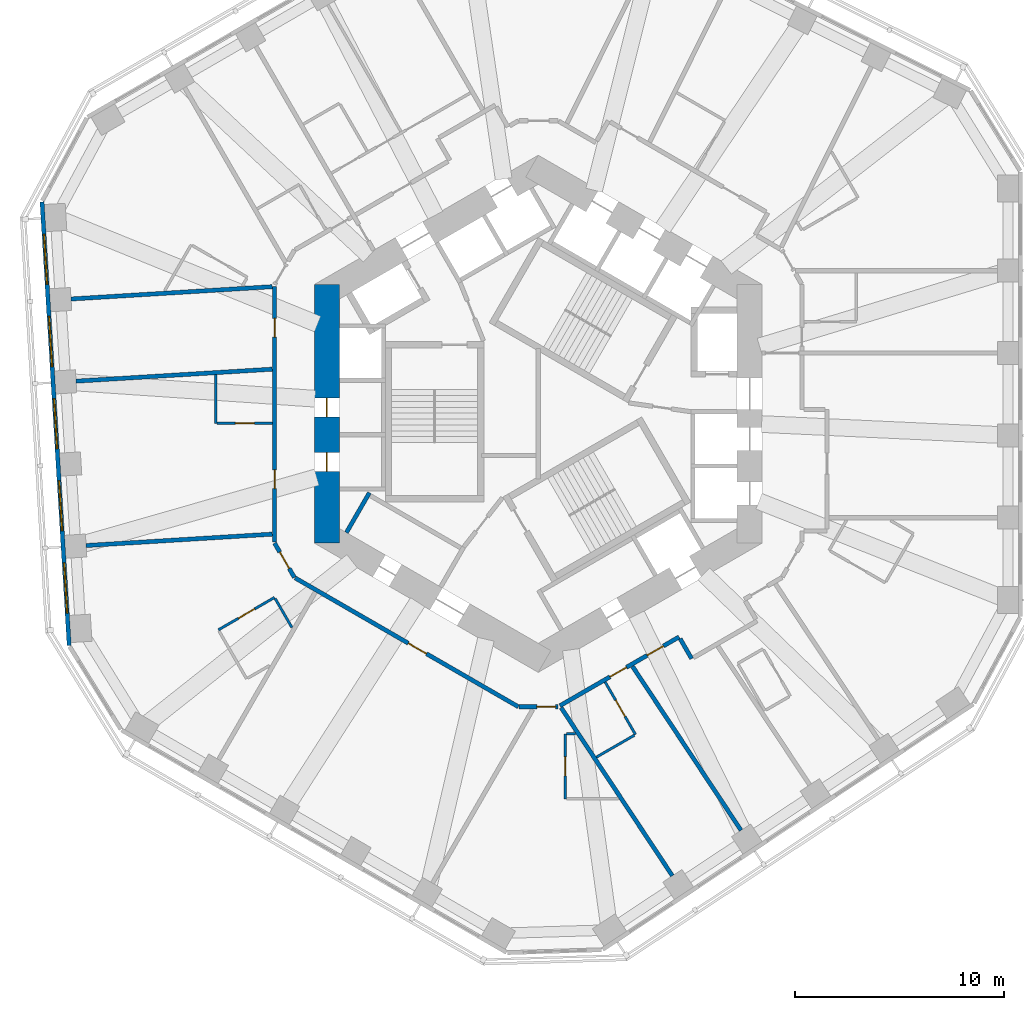
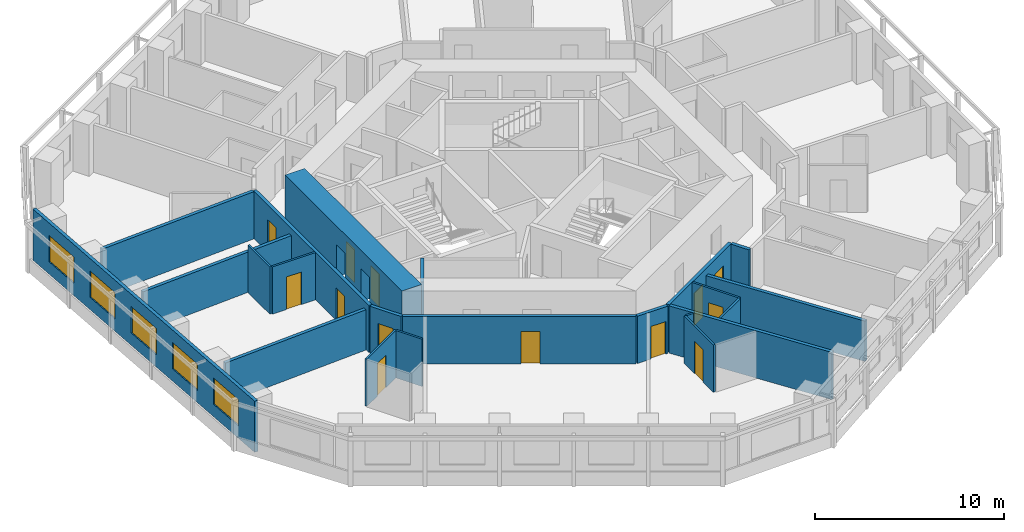
# One storey, part 4 of 12: 22 walls, 13 doors, 5 windows, 18 openings.
"""IFC4 building model written with IfcOpenShell, lengths in metres."""

from ifc_helpers import new_model, si_unit, direction, frame, frame_2d, origin, place, context, subcontext, project, spatial, rectangle, extrude, material, layer, layer_set, type_object, element, fill, save


model = new_model("IFC4")

# Units and contexts
model_context = context("Model", 3, precision=1e-05, world=origin(), true_north=direction((0.0, 1.0)))
body_context = subcontext(model_context, "Body", "Model", "MODEL_VIEW")
ifc_project = project(units=[si_unit("LENGTHUNIT", "METRE"), si_unit("AREAUNIT", "SQUARE_METRE"), si_unit("VOLUMEUNIT", "CUBIC_METRE"), si_unit("PLANEANGLEUNIT", "RADIAN"), si_unit("MASSUNIT", "GRAM", prefix="KILO")], contexts=[model_context])

# Site, building, storey
site_placement = place(None, origin())
site = spatial("IfcSite", under=ifc_project, at=site_placement, CompositionType="ELEMENT")
building_placement = place(site_placement, origin())
building = spatial("IfcBuilding", under=site, at=building_placement, Name="Vanh Sen Convention Tower", CompositionType="ELEMENT")
storey_placement = place(building_placement, frame((0.0, 0.0, 113.300048828125)))
storey = spatial("IfcBuildingStorey", under=building, at=storey_placement, Name="L27", CompositionType="ELEMENT", Elevation=113.300048828125)

# Wall
ifc_material_1 = material(Name="Moisture-resistant gypsum board on steel studs", Category="steel")
ifc_layer_1 = layer(ifc_material_1, 0.1201171875)
ifc_layer_set_1 = layer_set([ifc_layer_1], Name="Moisture-resistant gypsum board on steel studs")
wall_type_1 = type_object("IfcWallType", Name="Bathroom partition 120", PredefinedType="PARTITIONING", material=ifc_layer_set_1)
wall_1_placement = place(storey_placement, frame((-15.39990234375, -0.460693359375, 0.0), z_axis=(0.0, 0.0, 1.0), x_axis=(0.0, 1.0, 0.0)))
element("IfcWall", 1, at=wall_1_placement, inside=storey, type_object=wall_type_1, Name="Bathroom partition 120", PredefinedType="PARTITIONING", context=body_context, shape_type="SweptSolid", body=[
    extrude(rectangle(XDim=2.328857421875, YDim=0.1201171875, at=frame_2d((1.16455078125, 0.0))), origin(), (0.0, 0.0, 1.0), 3.050048828125),
])

# Wall, opening, door
wall_2_placement = place(storey_placement, frame((-15.285400390625, -10.326171875, 0.0), z_axis=(0.0, 0.0, 1.0), x_axis=(0.86600983753, 0.500026960575, 0.0)))
wall_2 = element("IfcWall", 2, at=wall_2_placement, inside=storey, type_object=wall_type_1, Name="Bathroom partition 120", PredefinedType="PARTITIONING", context=body_context, shape_type="SweptSolid", body=[
    extrude(rectangle(XDim=3.099853515625, YDim=0.1201171875, at=frame_2d((1.5498046875, 0.0))), origin(), (0.0, 0.0, 1.0), 3.050048828125),
])
opening_1_placement = place(wall_2_placement, frame((1.10009765625, 0.0, 0.0)))
opening_1 = element("IfcOpeningElement", 3, at=opening_1_placement, cuts=wall_2, Name="Opening D27122", PredefinedType="OPENING", context=body_context, shape_type="SweptSolid", body=[
    extrude(rectangle(XDim=0.89990234375, YDim=2.10009765625, at=frame_2d((0.449951171875, 1.050048828125))), frame((0.0, 0.070068359375, 0.0), z_axis=(0.0, -1.0, 0.0), x_axis=(1.0, 0.0, 0.0)), (0.0, 0.0, 1.0), 0.14013671875),
])
ifc_material_2 = material(Name="Laminate door in steel frame", Category="steel")
door_type_1 = type_object("IfcDoorType", Name="En-suite door 900", OperationType="SINGLE_SWING_LEFT", PredefinedType="DOOR", material=ifc_material_2)
door_1_placement = place(opening_1_placement, origin())
door_1 = element("IfcDoor", 4, at=door_1_placement, inside=storey, type_object=door_type_1, Name="En-suite door D27122", OperationType="SINGLE_SWING_LEFT", OverallHeight=2.10009765625, OverallWidth=0.89990234375, PredefinedType="DOOR", context=body_context, shape_type="SweptSolid", body=[
    extrude(rectangle(XDim=0.89990234375, YDim=2.10009765625, at=frame_2d((0.449951171875, 1.050048828125))), frame((0.0, 0.02490234375, 0.0), z_axis=(0.0, -1.0, 0.0), x_axis=(1.0, 0.0, 0.0)), (0.0, 0.0, 1.0), 0.050048828125),
])
fill(opening_1, door_1)

wall_3_placement = place(storey_placement, frame((-12.699951171875, -0.460693359375, 0.0), z_axis=(0.0, 0.0, 1.0), x_axis=(-1.0, 0.0, 0.0)))
wall_3 = element("IfcWall", 5, at=wall_3_placement, inside=storey, type_object=wall_type_1, Name="Bathroom partition 120", PredefinedType="PARTITIONING", context=body_context, shape_type="SweptSolid", body=[
    extrude(rectangle(XDim=2.64013671875, YDim=0.1201171875, at=frame_2d((1.320068359375, 0.0))), origin(), (0.0, 0.0, 1.0), 3.050048828125),
])
opening_2_placement = place(wall_3_placement, frame((0.8701171875, 0.0, 0.0)))
opening_2 = element("IfcOpeningElement", 6, at=opening_2_placement, cuts=wall_3, Name="Opening D27120", PredefinedType="OPENING", context=body_context, shape_type="SweptSolid", body=[
    extrude(rectangle(XDim=0.89990234375, YDim=2.10009765625, at=frame_2d((0.449951171875, 1.050048828125))), frame((0.0, 0.070068359375, 0.0), z_axis=(0.0, -1.0, 0.0), x_axis=(1.0, 0.0, 0.0)), (0.0, 0.0, 1.0), 0.14013671875),
])
door_2_placement = place(opening_2_placement, origin())
door_2 = element("IfcDoor", 7, at=door_2_placement, inside=storey, type_object=door_type_1, Name="En-suite door D27120", OperationType="SINGLE_SWING_LEFT", OverallHeight=2.10009765625, OverallWidth=0.89990234375, PredefinedType="DOOR", context=body_context, shape_type="SweptSolid", body=[
    extrude(rectangle(XDim=0.89990234375, YDim=2.10009765625, at=frame_2d((0.449951171875, 1.050048828125))), frame((0.0, 0.02490234375, 0.0), z_axis=(0.0, -1.0, 0.0), x_axis=(1.0, 0.0, 0.0)), (0.0, 0.0, 1.0), 0.050048828125),
])
fill(opening_2, door_2)

# Wall
wall_4_placement = place(storey_placement, frame((-12.57080078125, -8.828125, 0.0), z_axis=(0.0, 0.0, 1.0), x_axis=(0.499960029081, -0.866048479775, 0.0)))
element("IfcWall", 8, at=wall_4_placement, inside=storey, type_object=wall_type_1, Name="Bathroom partition 120", PredefinedType="PARTITIONING", context=body_context, shape_type="SweptSolid", body=[
    extrude(rectangle(XDim=1.601318359375, YDim=0.1201171875, at=frame_2d((0.80078125, 0.0))), origin(), (0.0, 0.0, 1.0), 3.050048828125),
])

# Wall, opening, door
wall_5_placement = place(storey_placement, frame((1.300048828125, -18.400634765625, 0.0), z_axis=(0.0, 0.0, 1.0), x_axis=(0.0, 1.0, 0.0)))
wall_5 = element("IfcWall", 9, at=wall_5_placement, inside=storey, type_object=wall_type_1, Name="Bathroom partition 120", PredefinedType="PARTITIONING", context=body_context, shape_type="SweptSolid", body=[
    extrude(rectangle(XDim=3.099853515625, YDim=0.1201171875, at=frame_2d((1.5498046875, 0.0))), origin(), (0.0, 0.0, 1.0), 3.050048828125),
])
opening_3_placement = place(wall_5_placement, frame((1.10009765625, 0.0, 0.0)))
opening_3 = element("IfcOpeningElement", 10, at=opening_3_placement, cuts=wall_5, Name="Opening D27125", PredefinedType="OPENING", context=body_context, shape_type="SweptSolid", body=[
    extrude(rectangle(XDim=0.89990234375, YDim=2.10009765625, at=frame_2d((0.449951171875, 1.050048828125))), frame((0.0, 0.070068359375, 0.0), z_axis=(0.0, -1.0, 0.0), x_axis=(1.0, 0.0, 0.0)), (0.0, 0.0, 1.0), 0.14013671875),
])
door_3_placement = place(opening_3_placement, origin())
door_3 = element("IfcDoor", 11, at=door_3_placement, inside=storey, type_object=door_type_1, Name="En-suite door D27125", OperationType="SINGLE_SWING_LEFT", OverallHeight=2.10009765625, OverallWidth=0.89990234375, PredefinedType="DOOR", context=body_context, shape_type="SweptSolid", body=[
    extrude(rectangle(XDim=0.89990234375, YDim=2.10009765625, at=frame_2d((0.449951171875, 1.050048828125))), frame((0.0, 0.02490234375, 0.0), z_axis=(0.0, -1.0, 0.0), x_axis=(1.0, 0.0, 0.0)), (0.0, 0.0, 1.0), 0.050048828125),
])
fill(opening_3, door_3)

# Wall
wall_6_placement = place(storey_placement, frame((1.360107421875, -15.30078125, 0.0), z_axis=(0.0, 0.0, 1.0), x_axis=(1.0, 0.0, 0.0)))
element("IfcWall", 12, at=wall_6_placement, inside=storey, type_object=wall_type_1, Name="Bathroom partition 120", PredefinedType="PARTITIONING", context=body_context, shape_type="SweptSolid", body=[
    extrude(rectangle(XDim=0.415771484375, YDim=0.1201171875, at=frame_2d((0.2080078125, 0.0))), origin(), (0.0, 0.0, 1.0), 3.050048828125),
])

# Wall, opening, door
wall_7_placement = place(storey_placement, frame((3.1982421875, -12.818115234375, 0.0), z_axis=(0.0, 0.0, 1.0), x_axis=(0.499987231761, -0.866032775405, 0.0)))
wall_7 = element("IfcWall", 13, at=wall_7_placement, inside=storey, type_object=wall_type_1, Name="Bathroom partition 120", PredefinedType="PARTITIONING", context=body_context, shape_type="SweptSolid", body=[
    extrude(rectangle(XDim=2.89990234375, YDim=0.1201171875, at=frame_2d((1.449951171875, 0.0))), origin(), (0.0, 0.0, 1.0), 3.050048828125),
])
opening_4_placement = place(wall_7_placement, frame((1.0, 0.0, 0.0)))
opening_4 = element("IfcOpeningElement", 14, at=opening_4_placement, cuts=wall_7, Name="Opening D27127", PredefinedType="OPENING", context=body_context, shape_type="SweptSolid", body=[
    extrude(rectangle(XDim=0.89990234375, YDim=2.10009765625, at=frame_2d((0.449951171875, 1.050048828125))), frame((0.0, 0.070068359375, 0.0), z_axis=(0.0, -1.0, 0.0), x_axis=(1.0, 0.0, 0.0)), (0.0, 0.0, 1.0), 0.14013671875),
])
door_4_placement = place(opening_4_placement, origin())
door_4 = element("IfcDoor", 15, at=door_4_placement, inside=storey, type_object=door_type_1, Name="En-suite door D27127", OperationType="SINGLE_SWING_LEFT", OverallHeight=2.10009765625, OverallWidth=0.89990234375, PredefinedType="DOOR", context=body_context, shape_type="SweptSolid", body=[
    extrude(rectangle(XDim=0.89990234375, YDim=2.10009765625, at=frame_2d((0.449951171875, 1.050048828125))), frame((0.0, 0.02490234375, 0.0), z_axis=(0.0, -1.0, 0.0), x_axis=(1.0, 0.0, 0.0)), (0.0, 0.0, 1.0), 0.050048828125),
])
fill(opening_4, door_4)

# Wall
wall_8_placement = place(storey_placement, frame((4.59619140625, -15.359619140625, 0.0), z_axis=(0.0, 0.0, 1.0), x_axis=(-0.865986006152, -0.500068232493, 0.0)))
element("IfcWall", 16, at=wall_8_placement, inside=storey, type_object=wall_type_1, Name="Bathroom partition 120", PredefinedType="PARTITIONING", context=body_context, shape_type="SweptSolid", body=[
    extrude(rectangle(XDim=2.098388671875, YDim=0.1201171875, at=frame_2d((1.04931640625, 0.0))), origin(), (0.0, 0.0, 1.0), 3.050048828125),
])

# Wall, openings, doors
ifc_material_3 = material(Name="Concrete C80/95", Category="concrete")
ifc_layer_2 = layer(ifc_material_3, 1.199951171875)
ifc_layer_set_2 = layer_set([ifc_layer_2], Name="Concrete C80/95")
wall_type_2 = type_object("IfcWallType", Name="Core outer wall 1200 C80/95", PredefinedType="SHEAR", material=ifc_layer_set_2)
wall_9_placement = place(storey_placement, frame((-10.10009765625, 6.177490234375, 0.0), z_axis=(0.0, 0.0, 1.0), x_axis=(0.0, -1.0, 0.0)))
wall_9 = element("IfcWall", 17, at=wall_9_placement, inside=storey, type_object=wall_type_2, Name="Core wall face W L27", PredefinedType="SHEAR", context=body_context, shape_type="SweptSolid", body=[
    extrude(rectangle(XDim=12.35498046875, YDim=1.199951171875, at=frame_2d((6.177490234375, 0.0))), origin(), (0.0, 0.0, 1.0), 3.300048828125),
])
opening_5_placement = place(wall_9_placement, frame((5.427490234375, 0.0, 0.0)))
opening_5 = element("IfcOpeningElement", 18, at=opening_5_placement, cuts=wall_9, Name="Opening D27010", PredefinedType="OPENING", context=body_context, shape_type="SweptSolid", body=[
    extrude(rectangle(XDim=0.89990234375, YDim=2.10009765625, at=frame_2d((0.449951171875, 1.050048828125))), frame((0.0, 0.60986328125, 0.0), z_axis=(0.0, -1.0, 0.0), x_axis=(1.0, 0.0, 0.0)), (0.0, 0.0, 1.0), 1.219970703125),
])
opening_6_placement = place(wall_9_placement, frame((8.027587890625, 0.0, 0.0)))
opening_6 = element("IfcOpeningElement", 19, at=opening_6_placement, cuts=wall_9, Name="Opening D27011", PredefinedType="OPENING", context=body_context, shape_type="SweptSolid", body=[
    extrude(rectangle(XDim=0.89990234375, YDim=2.10009765625, at=frame_2d((0.449951171875, 1.050048828125))), frame((0.0, 0.60986328125, 0.0), z_axis=(0.0, -1.0, 0.0), x_axis=(1.0, 0.0, 0.0)), (0.0, 0.0, 1.0), 1.219970703125),
])
ifc_material_4 = material(Name="Steel S355", Category="steel")
door_type_2 = type_object("IfcDoorType", Name="Plant door 900", OperationType="SINGLE_SWING_LEFT", PredefinedType="DOOR", material=ifc_material_4)
door_5_placement = place(opening_5_placement, origin())
door_5 = element("IfcDoor", 20, at=door_5_placement, inside=storey, type_object=door_type_2, Name="Plant door D27010", OperationType="SINGLE_SWING_LEFT", OverallHeight=2.10009765625, OverallWidth=0.89990234375, PredefinedType="DOOR", context=body_context, shape_type="SweptSolid", body=[
    extrude(rectangle(XDim=0.89990234375, YDim=2.10009765625, at=frame_2d((0.449951171875, 1.050048828125))), frame((0.0, 0.02490234375, 0.0), z_axis=(0.0, -1.0, 0.0), x_axis=(1.0, 0.0, 0.0)), (0.0, 0.0, 1.0), 0.050048828125),
])
fill(opening_5, door_5)
door_6_placement = place(opening_6_placement, origin())
door_6 = element("IfcDoor", 21, at=door_6_placement, inside=storey, type_object=door_type_2, Name="Plant door D27011", OperationType="SINGLE_SWING_LEFT", OverallHeight=2.10009765625, OverallWidth=0.89990234375, PredefinedType="DOOR", context=body_context, shape_type="SweptSolid", body=[
    extrude(rectangle(XDim=0.89990234375, YDim=2.10009765625, at=frame_2d((0.449951171875, 1.050048828125))), frame((0.0, 0.02490234375, 0.0), z_axis=(0.0, -1.0, 0.0), x_axis=(1.0, 0.0, 0.0)), (0.0, 0.0, 1.0), 0.050048828125),
])
fill(opening_6, door_6)

# Wall, opening, door
ifc_material_5 = material(Name="Gypsum board on steel studs with mineral wool", Category="steel")
ifc_layer_3 = layer(ifc_material_5, 0.199951171875)
ifc_layer_set_3 = layer_set([ifc_layer_3], Name="Gypsum board on steel studs with mineral wool")
wall_type_3 = type_object("IfcWallType", Name="Corridor partition wall 200", PredefinedType="PARTITIONING", material=ifc_layer_set_3)
wall_10_placement = place(storey_placement, frame((-12.60009765625, -6.177490234375, 0.0), z_axis=(0.0, 0.0, 1.0), x_axis=(0.500063520245, -0.865988727248, 0.0)))
wall_10 = element("IfcWall", 22, at=wall_10_placement, inside=storey, type_object=wall_type_3, Name="Corridor partition wall 200", PredefinedType="PARTITIONING", context=body_context, shape_type="SweptSolid", body=[
    extrude(rectangle(XDim=1.900146484375, YDim=0.199951171875, at=frame_2d((0.9501953125, 0.0))), origin(), (0.0, 0.0, 1.0), 3.050048828125),
])
opening_7_placement = place(wall_10_placement, frame((0.5, 0.0, 0.0)))
opening_7 = element("IfcOpeningElement", 23, at=opening_7_placement, cuts=wall_10, Name="Opening D27121", PredefinedType="OPENING", context=body_context, shape_type="SweptSolid", body=[
    extrude(rectangle(XDim=0.89990234375, YDim=2.10009765625, at=frame_2d((0.449951171875, 1.050048828125))), frame((0.0, 0.10986328125, 0.0), z_axis=(0.0, -1.0, 0.0), x_axis=(1.0, 0.0, 0.0)), (0.0, 0.0, 1.0), 0.219970703125),
])
ifc_material_6 = material(Name="Timber fire door in steel frame", Category="steel")
door_type_3 = type_object("IfcDoorType", Name="Guest room door 900", OperationType="SINGLE_SWING_LEFT", PredefinedType="DOOR", material=ifc_material_6)
door_7_placement = place(opening_7_placement, origin())
door_7 = element("IfcDoor", 24, at=door_7_placement, inside=storey, type_object=door_type_3, Name="Hotel guest room door D27121", OperationType="SINGLE_SWING_LEFT", OverallHeight=2.10009765625, OverallWidth=0.89990234375, PredefinedType="DOOR", context=body_context, shape_type="SweptSolid", body=[
    extrude(rectangle(XDim=0.89990234375, YDim=2.10009765625, at=frame_2d((0.449951171875, 1.050048828125))), frame((0.0, 0.02490234375, 0.0), z_axis=(0.0, -1.0, 0.0), x_axis=(1.0, 0.0, 0.0)), (0.0, 0.0, 1.0), 0.050048828125),
])
fill(opening_7, door_7)

# Wall, openings, doors
wall_11_placement = place(storey_placement, frame((-12.60009765625, 6.081298828125, 0.0), z_axis=(0.0, 0.0, 1.0), x_axis=(0.0, -1.0, 0.0)))
wall_11 = element("IfcWall", 25, at=wall_11_placement, inside=storey, type_object=wall_type_3, Name="Corridor partition wall 200", PredefinedType="PARTITIONING", context=body_context, shape_type="SweptSolid", body=[
    extrude(rectangle(XDim=12.218994140625, YDim=0.199951171875, at=frame_2d((6.109375, 0.0))), origin(), (0.0, 0.0, 1.0), 3.050048828125),
])
opening_8_placement = place(wall_11_placement, frame((1.52099609375, 0.0, 0.0)))
opening_8 = element("IfcOpeningElement", 26, at=opening_8_placement, cuts=wall_11, Name="Opening D27118", PredefinedType="OPENING", context=body_context, shape_type="SweptSolid", body=[
    extrude(rectangle(XDim=0.89990234375, YDim=2.10009765625, at=frame_2d((0.449951171875, 1.050048828125))), frame((0.0, 0.10986328125, 0.0), z_axis=(0.0, -1.0, 0.0), x_axis=(1.0, 0.0, 0.0)), (0.0, 0.0, 1.0), 0.219970703125),
])
opening_9_placement = place(wall_11_placement, frame((8.7587890625, 0.0, 0.0)))
opening_9 = element("IfcOpeningElement", 27, at=opening_9_placement, cuts=wall_11, Name="Opening D27119", PredefinedType="OPENING", context=body_context, shape_type="SweptSolid", body=[
    extrude(rectangle(XDim=0.89990234375, YDim=2.10009765625, at=frame_2d((0.449951171875, 1.050048828125))), frame((0.0, 0.10986328125, 0.0), z_axis=(0.0, -1.0, 0.0), x_axis=(1.0, 0.0, 0.0)), (0.0, 0.0, 1.0), 0.219970703125),
])
door_type_4 = type_object("IfcDoorType", Name="Floor service door 900", OperationType="SINGLE_SWING_LEFT", PredefinedType="DOOR", material=ifc_material_6)
door_8_placement = place(opening_8_placement, origin())
door_8 = element("IfcDoor", 28, at=door_8_placement, inside=storey, type_object=door_type_4, Name="Service room door D27118", OperationType="SINGLE_SWING_LEFT", OverallHeight=2.10009765625, OverallWidth=0.89990234375, PredefinedType="DOOR", context=body_context, shape_type="SweptSolid", body=[
    extrude(rectangle(XDim=0.89990234375, YDim=2.10009765625, at=frame_2d((0.449951171875, 1.050048828125))), frame((0.0, 0.02490234375, 0.0), z_axis=(0.0, -1.0, 0.0), x_axis=(1.0, 0.0, 0.0)), (0.0, 0.0, 1.0), 0.050048828125),
])
fill(opening_8, door_8)
door_9_placement = place(opening_9_placement, origin())
door_9 = element("IfcDoor", 29, at=door_9_placement, inside=storey, type_object=door_type_3, Name="Hotel guest room door D27119", OperationType="SINGLE_SWING_LEFT", OverallHeight=2.10009765625, OverallWidth=0.89990234375, PredefinedType="DOOR", context=body_context, shape_type="SweptSolid", body=[
    extrude(rectangle(XDim=0.89990234375, YDim=2.10009765625, at=frame_2d((0.449951171875, 1.050048828125))), frame((0.0, 0.02490234375, 0.0), z_axis=(0.0, -1.0, 0.0), x_axis=(1.0, 0.0, 0.0)), (0.0, 0.0, 1.0), 0.050048828125),
])
fill(opening_9, door_9)

# Wall, opening, door
wall_12_placement = place(storey_placement, frame((-11.615478515625, -7.843017578125, 0.0), z_axis=(0.0, 0.0, 1.0), x_axis=(0.866026466995, -0.499998158461, 0.0)))
wall_12 = element("IfcWall", 30, at=wall_12_placement, inside=storey, type_object=wall_type_3, Name="Corridor partition wall 200", PredefinedType="PARTITIONING", context=body_context, shape_type="SweptSolid", body=[
    extrude(rectangle(XDim=12.3154296875, YDim=0.199951171875, at=frame_2d((6.15771484375, 0.0))), origin(), (0.0, 0.0, 1.0), 3.050048828125),
])
opening_10_placement = place(wall_12_placement, frame((6.244140625, 0.0, 0.0)))
opening_10 = element("IfcOpeningElement", 31, at=opening_10_placement, cuts=wall_12, Name="Opening D27123", PredefinedType="OPENING", context=body_context, shape_type="SweptSolid", body=[
    extrude(rectangle(XDim=1.0, YDim=2.10009765625, at=frame_2d((0.5, 1.050048828125))), frame((0.0, 0.10986328125, 0.0), z_axis=(0.0, -1.0, 0.0), x_axis=(1.0, 0.0, 0.0)), (0.0, 0.0, 1.0), 0.219970703125),
])
door_type_5 = type_object("IfcDoorType", Name="Floor room door 1000", OperationType="SINGLE_SWING_LEFT", PredefinedType="DOOR", material=ifc_material_6)
door_10_placement = place(opening_10_placement, origin())
door_10 = element("IfcDoor", 32, at=door_10_placement, inside=storey, type_object=door_type_5, Name="Meeting and amenity room door D27123", OperationType="SINGLE_SWING_LEFT", OverallHeight=2.10009765625, OverallWidth=1.0, PredefinedType="DOOR", context=body_context, shape_type="SweptSolid", body=[
    extrude(rectangle(XDim=1.0, YDim=2.10009765625, at=frame_2d((0.5, 1.050048828125))), frame((0.0, 0.02490234375, 0.0), z_axis=(0.0, -1.0, 0.0), x_axis=(1.0, 0.0, 0.0)), (0.0, 0.0, 1.0), 0.050048828125),
])
fill(opening_10, door_10)

wall_13_placement = place(storey_placement, frame((-0.909912109375, -14.000732421875, 0.0), z_axis=(0.0, 0.0, 1.0), x_axis=(1.0, 0.0, 0.0)))
wall_13 = element("IfcWall", 33, at=wall_13_placement, inside=storey, type_object=wall_type_3, Name="Corridor partition wall 200", PredefinedType="PARTITIONING", context=body_context, shape_type="SweptSolid", body=[
    extrude(rectangle(XDim=1.85986328125, YDim=0.199951171875, at=frame_2d((0.929931640625, 0.0))), origin(), (0.0, 0.0, 1.0), 3.050048828125),
])
opening_11_placement = place(wall_13_placement, frame((0.841796875, 0.0, 0.0)))
opening_11 = element("IfcOpeningElement", 34, at=opening_11_placement, cuts=wall_13, Name="Opening D27124", PredefinedType="OPENING", context=body_context, shape_type="SweptSolid", body=[
    extrude(rectangle(XDim=0.89990234375, YDim=2.10009765625, at=frame_2d((0.449951171875, 1.050048828125))), frame((0.0, 0.10986328125, 0.0), z_axis=(0.0, -1.0, 0.0), x_axis=(1.0, 0.0, 0.0)), (0.0, 0.0, 1.0), 0.219970703125),
])
door_11_placement = place(opening_11_placement, origin())
door_11 = element("IfcDoor", 35, at=door_11_placement, inside=storey, type_object=door_type_3, Name="Hotel guest room door D27124", OperationType="SINGLE_SWING_LEFT", OverallHeight=2.10009765625, OverallWidth=0.89990234375, PredefinedType="DOOR", context=body_context, shape_type="SweptSolid", body=[
    extrude(rectangle(XDim=0.89990234375, YDim=2.10009765625, at=frame_2d((0.449951171875, 1.050048828125))), frame((0.0, 0.02490234375, 0.0), z_axis=(0.0, -1.0, 0.0), x_axis=(1.0, 0.0, 0.0)), (0.0, 0.0, 1.0), 0.050048828125),
])
fill(opening_11, door_11)

# Wall, openings, doors
wall_14_placement = place(storey_placement, frame((1.033447265625, -13.95263671875, 0.0), z_axis=(0.0, 0.0, 1.0), x_axis=(0.866017531406, 0.500013635111, 0.0)))
wall_14 = element("IfcWall", 36, at=wall_14_placement, inside=storey, type_object=wall_type_3, Name="Corridor partition wall 200", PredefinedType="PARTITIONING", context=body_context, shape_type="SweptSolid", body=[
    extrude(rectangle(XDim=6.580322265625, YDim=0.199951171875, at=frame_2d((3.2900390625, 0.0))), origin(), (0.0, 0.0, 1.0), 3.050048828125),
])
opening_12_placement = place(wall_14_placement, frame((2.766845703125, 0.0, 0.0)))
opening_12 = element("IfcOpeningElement", 37, at=opening_12_placement, cuts=wall_14, Name="Opening D27126", PredefinedType="OPENING", context=body_context, shape_type="SweptSolid", body=[
    extrude(rectangle(XDim=0.89990234375, YDim=2.10009765625, at=frame_2d((0.449951171875, 1.050048828125))), frame((0.0, 0.10986328125, 0.0), z_axis=(0.0, -1.0, 0.0), x_axis=(1.0, 0.0, 0.0)), (0.0, 0.0, 1.0), 0.219970703125),
])
opening_13_placement = place(wall_14_placement, frame((4.81103515625, 0.0, 0.0)))
opening_13 = element("IfcOpeningElement", 38, at=opening_13_placement, cuts=wall_14, Name="Opening D27128", PredefinedType="OPENING", context=body_context, shape_type="SweptSolid", body=[
    extrude(rectangle(XDim=0.89990234375, YDim=2.10009765625, at=frame_2d((0.449951171875, 1.050048828125))), frame((0.0, 0.10986328125, 0.0), z_axis=(0.0, -1.0, 0.0), x_axis=(1.0, 0.0, 0.0)), (0.0, 0.0, 1.0), 0.219970703125),
])
door_12_placement = place(opening_13_placement, origin())
door_12 = element("IfcDoor", 39, at=door_12_placement, inside=storey, type_object=door_type_4, Name="Service room door D27128", OperationType="SINGLE_SWING_LEFT", OverallHeight=2.10009765625, OverallWidth=0.89990234375, PredefinedType="DOOR", context=body_context, shape_type="SweptSolid", body=[
    extrude(rectangle(XDim=0.89990234375, YDim=2.10009765625, at=frame_2d((0.449951171875, 1.050048828125))), frame((0.0, 0.02490234375, 0.0), z_axis=(0.0, -1.0, 0.0), x_axis=(1.0, 0.0, 0.0)), (0.0, 0.0, 1.0), 0.050048828125),
])
fill(opening_13, door_12)
door_13_placement = place(opening_12_placement, origin())
door_13 = element("IfcDoor", 40, at=door_13_placement, inside=storey, type_object=door_type_3, Name="Hotel guest room door D27126", OperationType="SINGLE_SWING_LEFT", OverallHeight=2.10009765625, OverallWidth=0.89990234375, PredefinedType="DOOR", context=body_context, shape_type="SweptSolid", body=[
    extrude(rectangle(XDim=0.89990234375, YDim=2.10009765625, at=frame_2d((0.449951171875, 1.050048828125))), frame((0.0, 0.02490234375, 0.0), z_axis=(0.0, -1.0, 0.0), x_axis=(1.0, 0.0, 0.0)), (0.0, 0.0, 1.0), 0.050048828125),
])
fill(opening_12, door_13)

# Wall
wall_15_placement = place(storey_placement, frame((6.781982421875, -10.7490234375, 0.0), z_axis=(0.0, 0.0, 1.0), x_axis=(0.500074377092, -0.865982457891, 0.0)))
element("IfcWall", 41, at=wall_15_placement, inside=storey, type_object=wall_type_3, Name="Corridor partition wall 200", PredefinedType="PARTITIONING", context=body_context, shape_type="SweptSolid", body=[
    extrude(rectangle(XDim=1.100830078125, YDim=0.199951171875, at=frame_2d((0.55029296875, 0.0))), origin(), (0.0, 0.0, 1.0), 3.050048828125),
])

# Wall, openings, windows
ifc_material_7 = material(Name="Insulated lightweight infill wall")
ifc_layer_4 = layer(ifc_material_7, 0.199951171875)
ifc_layer_set_4 = layer_set([ifc_layer_4], Name="Insulated lightweight infill wall")
wall_type_4 = type_object("IfcWallType", Name="External wall 200", PredefinedType="STANDARD", material=ifc_layer_set_4)
wall_16_placement = place(storey_placement, frame((-23.712646484375, 10.130859375, 0.0), z_axis=(0.0, 0.0, 1.0), x_axis=(0.061040439785, -0.998135293791, 0.0)))
wall_16 = element("IfcWall", 42, at=wall_16_placement, inside=storey, type_object=wall_type_4, Name="External wall W L27", PredefinedType="STANDARD", context=body_context, shape_type="SweptSolid", body=[
    extrude(rectangle(XDim=21.24609375, YDim=0.199951171875, at=frame_2d((10.623046875, 0.0))), origin(), (0.0, 0.0, 1.0), 3.300048828125),
])
opening_14_placement = place(wall_16_placement, frame((1.552978515625, 0.0, 0.800048828125)))
opening_14 = element("IfcOpeningElement", 43, at=opening_14_placement, cuts=wall_16, Name="Opening WH1-W1", PredefinedType="OPENING", context=body_context, shape_type="SweptSolid", body=[
    extrude(rectangle(XDim=2.39990234375, YDim=1.699951171875, at=frame_2d((1.199951171875, 0.85009765625))), frame((0.0, 0.10986328125, 0.0), z_axis=(0.0, -1.0, 0.0), x_axis=(1.0, 0.0, 0.0)), (0.0, 0.0, 1.0), 0.219970703125),
])
opening_15_placement = place(wall_16_placement, frame((5.48779296875, 0.0, 0.800048828125)))
opening_15 = element("IfcOpeningElement", 44, at=opening_15_placement, cuts=wall_16, Name="Opening WH1-W2", PredefinedType="OPENING", context=body_context, shape_type="SweptSolid", body=[
    extrude(rectangle(XDim=2.39990234375, YDim=1.699951171875, at=frame_2d((1.199951171875, 0.85009765625))), frame((0.0, 0.10986328125, 0.0), z_axis=(0.0, -1.0, 0.0), x_axis=(1.0, 0.0, 0.0)), (0.0, 0.0, 1.0), 0.219970703125),
])
opening_16_placement = place(wall_16_placement, frame((9.42236328125, 0.0, 0.800048828125)))
opening_16 = element("IfcOpeningElement", 45, at=opening_16_placement, cuts=wall_16, Name="Opening WH1-W3", PredefinedType="OPENING", context=body_context, shape_type="SweptSolid", body=[
    extrude(rectangle(XDim=2.39990234375, YDim=1.699951171875, at=frame_2d((1.199951171875, 0.85009765625))), frame((0.0, 0.10986328125, 0.0), z_axis=(0.0, -1.0, 0.0), x_axis=(1.0, 0.0, 0.0)), (0.0, 0.0, 1.0), 0.219970703125),
])
opening_17_placement = place(wall_16_placement, frame((13.35693359375, 0.0, 0.800048828125)))
opening_17 = element("IfcOpeningElement", 46, at=opening_17_placement, cuts=wall_16, Name="Opening WH1-W4", PredefinedType="OPENING", context=body_context, shape_type="SweptSolid", body=[
    extrude(rectangle(XDim=2.39990234375, YDim=1.699951171875, at=frame_2d((1.199951171875, 0.85009765625))), frame((0.0, 0.10986328125, 0.0), z_axis=(0.0, -1.0, 0.0), x_axis=(1.0, 0.0, 0.0)), (0.0, 0.0, 1.0), 0.219970703125),
])
opening_18_placement = place(wall_16_placement, frame((17.29150390625, 0.0, 0.800048828125)))
opening_18 = element("IfcOpeningElement", 47, at=opening_18_placement, cuts=wall_16, Name="Opening WH1-W5", PredefinedType="OPENING", context=body_context, shape_type="SweptSolid", body=[
    extrude(rectangle(XDim=2.39990234375, YDim=1.699951171875, at=frame_2d((1.199951171875, 0.85009765625))), frame((0.0, 0.10986328125, 0.0), z_axis=(0.0, -1.0, 0.0), x_axis=(1.0, 0.0, 0.0)), (0.0, 0.0, 1.0), 0.219970703125),
])
ifc_material_8 = material(Name="Aluminium frame with clear low-emissivity glass", Category="aluminium")
window_type = type_object("IfcWindowType", Name="Hotel window 2400 x 1700", PartitioningType="SINGLE_PANEL", PredefinedType="WINDOW", material=ifc_material_8)
window_1_placement = place(opening_14_placement, origin())
window_1 = element("IfcWindow", 48, at=window_1_placement, inside=storey, type_object=window_type, Name="Window WH1-W1", OverallHeight=1.699951171875, OverallWidth=2.39990234375, PartitioningType="SINGLE_PANEL", PredefinedType="WINDOW", context=body_context, shape_type="SweptSolid", body=[
    extrude(rectangle(XDim=2.39990234375, YDim=1.699951171875, at=frame_2d((1.199951171875, 0.85009765625))), frame((0.0, 0.030029296875, 0.0), z_axis=(0.0, -1.0, 0.0), x_axis=(1.0, 0.0, 0.0)), (0.0, 0.0, 1.0), 0.06005859375),
])
fill(opening_14, window_1)
window_2_placement = place(opening_15_placement, origin())
window_2 = element("IfcWindow", 49, at=window_2_placement, inside=storey, type_object=window_type, Name="Window WH1-W2", OverallHeight=1.699951171875, OverallWidth=2.39990234375, PartitioningType="SINGLE_PANEL", PredefinedType="WINDOW", context=body_context, shape_type="SweptSolid", body=[
    extrude(rectangle(XDim=2.39990234375, YDim=1.699951171875, at=frame_2d((1.199951171875, 0.85009765625))), frame((0.0, 0.030029296875, 0.0), z_axis=(0.0, -1.0, 0.0), x_axis=(1.0, 0.0, 0.0)), (0.0, 0.0, 1.0), 0.06005859375),
])
fill(opening_15, window_2)
window_3_placement = place(opening_16_placement, origin())
window_3 = element("IfcWindow", 50, at=window_3_placement, inside=storey, type_object=window_type, Name="Window WH1-W3", OverallHeight=1.699951171875, OverallWidth=2.39990234375, PartitioningType="SINGLE_PANEL", PredefinedType="WINDOW", context=body_context, shape_type="SweptSolid", body=[
    extrude(rectangle(XDim=2.39990234375, YDim=1.699951171875, at=frame_2d((1.199951171875, 0.85009765625))), frame((0.0, 0.030029296875, 0.0), z_axis=(0.0, -1.0, 0.0), x_axis=(1.0, 0.0, 0.0)), (0.0, 0.0, 1.0), 0.06005859375),
])
fill(opening_16, window_3)
window_4_placement = place(opening_17_placement, origin())
window_4 = element("IfcWindow", 51, at=window_4_placement, inside=storey, type_object=window_type, Name="Window WH1-W4", OverallHeight=1.699951171875, OverallWidth=2.39990234375, PartitioningType="SINGLE_PANEL", PredefinedType="WINDOW", context=body_context, shape_type="SweptSolid", body=[
    extrude(rectangle(XDim=2.39990234375, YDim=1.699951171875, at=frame_2d((1.199951171875, 0.85009765625))), frame((0.0, 0.030029296875, 0.0), z_axis=(0.0, -1.0, 0.0), x_axis=(1.0, 0.0, 0.0)), (0.0, 0.0, 1.0), 0.06005859375),
])
fill(opening_17, window_4)
window_5_placement = place(opening_18_placement, origin())
window_5 = element("IfcWindow", 52, at=window_5_placement, inside=storey, type_object=window_type, Name="Window WH1-W5", OverallHeight=1.699951171875, OverallWidth=2.39990234375, PartitioningType="SINGLE_PANEL", PredefinedType="WINDOW", context=body_context, shape_type="SweptSolid", body=[
    extrude(rectangle(XDim=2.39990234375, YDim=1.699951171875, at=frame_2d((1.199951171875, 0.85009765625))), frame((0.0, 0.030029296875, 0.0), z_axis=(0.0, -1.0, 0.0), x_axis=(1.0, 0.0, 0.0)), (0.0, 0.0, 1.0), 0.06005859375),
])
fill(opening_18, window_5)

# Walls
ifc_layer_5 = layer(ifc_material_5, 0.199951171875)
ifc_layer_set_5 = layer_set([ifc_layer_5], Name="Gypsum board on steel studs with mineral wool")
wall_type_5 = type_object("IfcWallType", Name="Hotel party wall 200", PredefinedType="PARTITIONING", material=ifc_layer_set_5)
wall_17_placement = place(storey_placement, frame((-22.32666015625, 5.486328125, 0.0), z_axis=(0.0, 0.0, 1.0), x_axis=(0.998135194863, 0.061042057435, 0.0)))
element("IfcWall", 53, at=wall_17_placement, inside=storey, type_object=wall_type_5, Name="Hotel party wall 200", PredefinedType="PARTITIONING", context=body_context, shape_type="SweptSolid", body=[
    extrude(rectangle(XDim=9.635009765625, YDim=0.199951171875, at=frame_2d((4.8173828125, 0.0))), origin(), (0.0, 0.0, 1.0), 3.050048828125),
])
wall_18_placement = place(storey_placement, frame((-22.08642578125, 1.55908203125, 0.0), z_axis=(0.0, 0.0, 1.0), x_axis=(0.99813491363, 0.061046655873, 0.0)))
element("IfcWall", 54, at=wall_18_placement, inside=storey, type_object=wall_type_5, Name="Hotel party wall 200", PredefinedType="PARTITIONING", context=body_context, shape_type="SweptSolid", body=[
    extrude(rectangle(XDim=9.394287109375, YDim=0.199951171875, at=frame_2d((4.697265625, 0.0))), origin(), (0.0, 0.0, 1.0), 2.599853515625),
])
wall_19_placement = place(storey_placement, frame((-21.60595703125, -6.29541015625, 0.0), z_axis=(0.0, 0.0, 1.0), x_axis=(0.998134305525, 0.061056597794, 0.0)))
element("IfcWall", 55, at=wall_19_placement, inside=storey, type_object=wall_type_5, Name="Hotel party wall 200", PredefinedType="PARTITIONING", context=body_context, shape_type="SweptSolid", body=[
    extrude(rectangle(XDim=8.912841796875, YDim=0.199951171875, at=frame_2d((4.45654296875, 0.0))), origin(), (0.0, 0.0, 1.0), 2.599853515625),
])
wall_20_placement = place(storey_placement, frame((6.411865234375, -22.07861328125, 0.0), z_axis=(0.0, 0.0, 1.0), x_axis=(-0.551919507115, 0.83389739037, 0.0)))
element("IfcWall", 56, at=wall_20_placement, inside=storey, type_object=wall_type_5, Name="Hotel party wall 200", PredefinedType="PARTITIONING", context=body_context, shape_type="SweptSolid", body=[
    extrude(rectangle(XDim=9.634765625, YDim=0.199951171875, at=frame_2d((4.8173828125, 0.0))), origin(), (0.0, 0.0, 1.0), 3.050048828125),
])
wall_21_placement = place(storey_placement, frame((9.69287109375, -19.906982421875, 0.0), z_axis=(0.0, 0.0, 1.0), x_axis=(-0.551938394837, 0.833884889121, 0.0)))
element("IfcWall", 57, at=wall_21_placement, inside=storey, type_object=wall_type_5, Name="Hotel party wall 200", PredefinedType="PARTITIONING", context=body_context, shape_type="SweptSolid", body=[
    extrude(rectangle(XDim=9.394287109375, YDim=0.199951171875, at=frame_2d((4.697265625, 0.0))), origin(), (0.0, 0.0, 1.0), 2.599853515625),
])
ifc_material_9 = material(Name="Concrete C40/50", Category="concrete")
ifc_layer_6 = layer(ifc_material_9, 0.199951171875)
ifc_layer_set_6 = layer_set([ifc_layer_6], Name="Concrete C40/50")
wall_type_6 = type_object("IfcWallType", Name="Lift shaft wall 200", PredefinedType="PARTITIONING", material=ifc_layer_set_6)
wall_22_placement = place(storey_placement, frame((-8.066650390625, -3.77197265625, 0.0), z_axis=(0.0, 0.0, 1.0), x_axis=(-0.50002983664, -0.866008176907, 0.0)))
element("IfcWall", 58, at=wall_22_placement, inside=storey, type_object=wall_type_6, Name="Lift shaft wall L27", PredefinedType="PARTITIONING", context=body_context, shape_type="SweptSolid", body=[
    extrude(rectangle(XDim=2.199951171875, YDim=0.199951171875, at=frame_2d((1.10009765625, 0.0))), origin(), (0.0, 0.0, 1.0), 3.050048828125),
])

save(model, "model.ifc")
